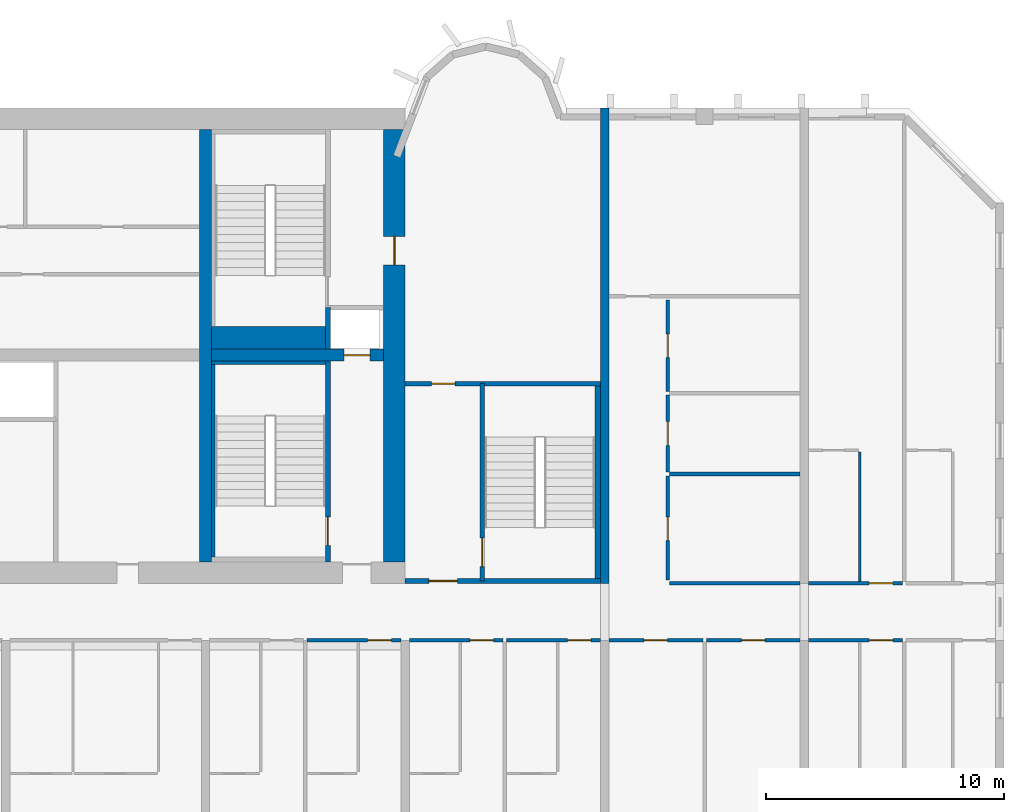
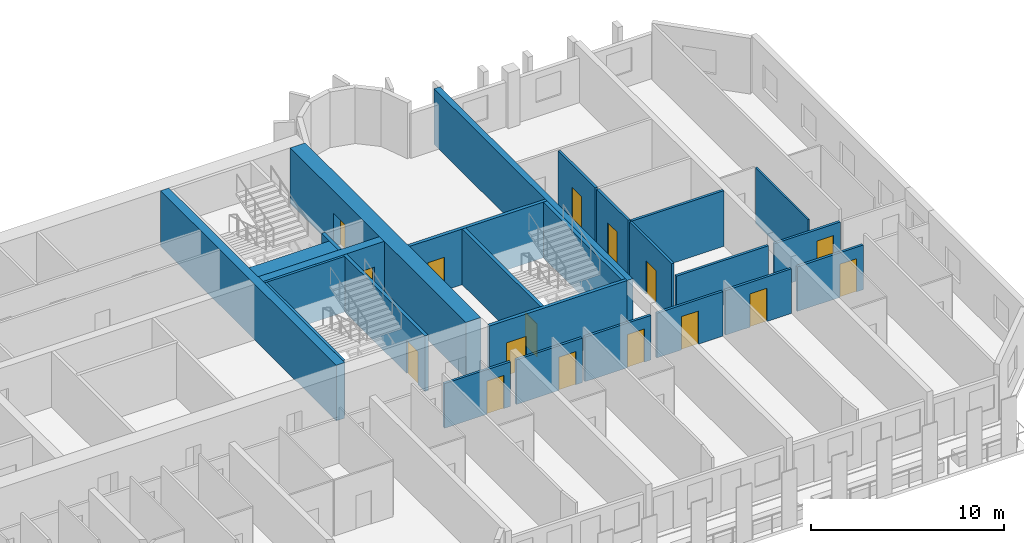
# One storey, part 9 of 14: 26 walls, 16 doors, 16 openings.
"""IFC4 building model written with IfcOpenShell, lengths in metres."""

from ifc_helpers import new_model, si_unit, direction, frame, frame_2d, origin, place, context, subcontext, project, spatial, rectangle, extrude, source, transform, mapped, material, layer, layer_set, type_object, element, fill, save


model = new_model("IFC4")

# Units and contexts
model_context = context("Model", 3, precision=1e-05, world=origin(), true_north=direction((0.0, 1.0)))
body_context = subcontext(model_context, "Body", "Model", "MODEL_VIEW")
ifc_project = project(units=[si_unit("LENGTHUNIT", "METRE"), si_unit("AREAUNIT", "SQUARE_METRE"), si_unit("VOLUMEUNIT", "CUBIC_METRE"), si_unit("PLANEANGLEUNIT", "RADIAN"), si_unit("MASSUNIT", "GRAM", prefix="KILO")], contexts=[model_context])

# Site, building, storey
site_placement = place(None, origin())
site = spatial("IfcSite", under=ifc_project, at=site_placement, CompositionType="ELEMENT")
building_placement = place(site_placement, origin())
building = spatial("IfcBuilding", under=site, at=building_placement, Name="Vanashikhar Sky Hotel", CompositionType="ELEMENT")
storey_placement = place(building_placement, frame((0.0, 0.0, 99.0)))
storey = spatial("IfcBuildingStorey", under=building, at=storey_placement, Name="L23", CompositionType="ELEMENT", Elevation=99.0)

# Wall, opening, door
ifc_material_1 = material(Name="Concrete M70", Category="concrete")
ifc_layer_1 = layer(ifc_material_1, 0.89990234375)
ifc_layer_set_1 = layer_set([ifc_layer_1], Name="RC core shell wall 900 Concrete M70")
wall_type_1 = type_object("IfcWallType", Name="RC core shell wall 900 Concrete M70", PredefinedType="SHEAR", material=ifc_layer_set_1)
shared_shape_1 = source(origin(), body_context, "Body", "SweptSolid", [
    extrude(rectangle(XDim=18.2001953125, YDim=0.89990234375, at=frame_2d((9.10009765625, 0.0))), origin(), (0.0, 0.0, 1.0), 3.52001953125),
])
wall_1_placement = place(storey_placement, frame((75.14990234375, 22.89990234375, 0.0), z_axis=(0.0, 0.0, 1.0), x_axis=(0.0, 1.0, 0.0)))
wall_1 = element("IfcWall", 1, at=wall_1_placement, inside=storey, type_object=wall_type_1, Name="KW-L23-KE", PredefinedType="SHEAR", context=body_context, shape_type="MappedRepresentation", body=[
    mapped(shared_shape_1, transform((0.0, 0.0, 0.0), scale=1.0)),
])
shared_shape_2 = source(origin(), body_context, "Body", "SweptSolid", [
    extrude(rectangle(XDim=1.199951171875, YDim=2.10009765625, at=frame_2d((0.60009765625, 1.050048828125))), frame((0.0, 0.4599609375, 0.0), z_axis=(0.0, -1.0, 0.0), x_axis=(1.0, 0.0, 0.0)), (0.0, 0.0, 1.0), 0.919921875),
])
opening_1_placement = place(wall_1_placement, frame((12.5, 0.0, 0.0)))
opening_1 = element("IfcOpeningElement", 2, at=opening_1_placement, cuts=wall_1, Name="Opening DC-4-D", PredefinedType="OPENING", context=body_context, shape_type="MappedRepresentation", body=[
    mapped(shared_shape_2, transform((0.0, 0.0, 0.0), scale=1.0)),
])
ifc_material_2 = material(Name="Steel", Category="steel")
door_type_1 = type_object("IfcDoorType", Name="Service door 1200 FD120", OperationType="NOTDEFINED", PredefinedType="DOOR", material=ifc_material_2)
shared_shape_3 = source(origin(), body_context, "Body", "SweptSolid", [
    extrude(rectangle(XDim=1.199951171875, YDim=2.10009765625, at=frame_2d((0.60009765625, 1.050048828125))), frame((0.0, 0.02490234375, 0.0), z_axis=(0.0, -1.0, 0.0), x_axis=(1.0, 0.0, 0.0)), (0.0, 0.0, 1.0), 0.050048828125),
])
door_1_placement = place(opening_1_placement, origin())
door_1 = element("IfcDoor", 3, at=door_1_placement, inside=storey, type_object=door_type_1, Name="Service door 1200 FD120", OperationType="SINGLE_SWING_RIGHT", OverallHeight=2.10009765625, OverallWidth=1.199951171875, PredefinedType="DOOR", context=body_context, shape_type="MappedRepresentation", body=[
    mapped(shared_shape_3, transform((0.0, 0.0, 0.0), scale=1.0)),
])
fill(opening_1, door_1)

# Wall
ifc_layer_2 = layer(ifc_material_1, 0.5)
ifc_layer_set_2 = layer_set([ifc_layer_2], Name="RC core inner wall 500 Concrete M70")
wall_type_2 = type_object("IfcWallType", Name="RC core inner wall 500 Concrete M70", PredefinedType="SHEAR", material=ifc_layer_set_2)
shared_shape_4 = source(origin(), body_context, "Body", "SweptSolid", [
    extrude(rectangle(XDim=18.2001953125, YDim=0.5, at=frame_2d((9.10009765625, 0.0))), origin(), (0.0, 0.0, 1.0), 3.52001953125),
])
wall_2_placement = place(storey_placement, frame((67.199951171875, 22.89990234375, 0.0), z_axis=(0.0, 0.0, 1.0), x_axis=(0.0, 1.0, 0.0)))
element("IfcWall", 4, at=wall_2_placement, inside=storey, type_object=wall_type_2, Name="KW-L23-KX3", PredefinedType="SHEAR", context=body_context, shape_type="MappedRepresentation", body=[
    mapped(shared_shape_4, transform((0.0, 0.0, 0.0), scale=1.0)),
])

# Wall, opening, door
shared_shape_5 = source(origin(), body_context, "Body", "SweptSolid", [
    extrude(rectangle(XDim=7.25, YDim=0.5, at=frame_2d((3.625, 0.0))), origin(), (0.0, 0.0, 1.0), 3.52001953125),
])
wall_3_placement = place(storey_placement, frame((67.449951171875, 31.60009765625, 0.0), z_axis=(0.0, 0.0, 1.0), x_axis=(1.0, 0.0, 0.0)))
wall_3 = element("IfcWall", 5, at=wall_3_placement, inside=storey, type_object=wall_type_2, Name="KW-L23-KY4", PredefinedType="SHEAR", context=body_context, shape_type="MappedRepresentation", body=[
    mapped(shared_shape_5, transform((0.0, 0.0, 0.0), scale=1.0)),
])
shared_shape_6 = source(origin(), body_context, "Body", "SweptSolid", [
    extrude(rectangle(XDim=1.10009765625, YDim=2.10009765625, at=frame_2d((0.550048828125, 1.050048828125))), frame((0.0, 0.260009765625, 0.0), z_axis=(0.0, -1.0, 0.0), x_axis=(1.0, 0.0, 0.0)), (0.0, 0.0, 1.0), 0.52001953125),
])
opening_2_placement = place(wall_3_placement, frame((5.574951171875, 0.0, 0.0)))
opening_2 = element("IfcOpeningElement", 6, at=opening_2_placement, cuts=wall_3, Name="Opening LD", PredefinedType="OPENING", context=body_context, shape_type="MappedRepresentation", body=[
    mapped(shared_shape_6, transform((0.0, 0.0, 0.0), scale=1.0)),
])
ifc_material_3 = material(Name="Stainless steel", Category="steel")
door_type_2 = type_object("IfcDoorType", Name="Lift landing door 1100", OperationType="NOTDEFINED", PredefinedType="DOOR", material=ifc_material_3)
shared_shape_7 = source(origin(), body_context, "Body", "SweptSolid", [
    extrude(rectangle(XDim=1.10009765625, YDim=2.10009765625, at=frame_2d((0.550048828125, 1.050048828125))), frame((0.0, 0.02490234375, 0.0), z_axis=(0.0, -1.0, 0.0), x_axis=(1.0, 0.0, 0.0)), (0.0, 0.0, 1.0), 0.050048828125),
])
door_2_placement = place(opening_2_placement, origin())
door_2 = element("IfcDoor", 7, at=door_2_placement, inside=storey, type_object=door_type_2, Name="Lift landing door 1100", OperationType="SLIDING_TO_RIGHT", OverallHeight=2.10009765625, OverallWidth=1.10009765625, PredefinedType="DOOR", context=body_context, shape_type="MappedRepresentation", body=[
    mapped(shared_shape_7, transform((0.0, 0.0, 0.0), scale=1.0)),
])
fill(opening_2, door_2)

# Wall
ifc_layer_3 = layer(ifc_material_1, 0.35009765625)
ifc_layer_set_3 = layer_set([ifc_layer_3], Name="RC shear wall 350 Concrete M70")
wall_type_3 = type_object("IfcWallType", Name="RC shear wall 350 Concrete M70", PredefinedType="SHEAR", material=ifc_layer_set_3)
shared_shape_8 = source(origin(), body_context, "Body", "SweptSolid", [
    extrude(rectangle(XDim=20.0, YDim=0.35009765625, at=frame_2d((10.0, 0.0))), origin(), (0.0, 0.0, 1.0), 3.52001953125),
])
wall_4_placement = place(storey_placement, frame((84.0, 22.0, 0.0), z_axis=(0.0, 0.0, 1.0), x_axis=(0.0, 1.0, 0.0)))
element("IfcWall", 8, at=wall_4_placement, inside=storey, type_object=wall_type_3, Name="CW-L23-XW11-2", PredefinedType="SHEAR", context=body_context, shape_type="MappedRepresentation", body=[
    mapped(shared_shape_8, transform((0.0, 0.0, 0.0), scale=1.0)),
])

# Wall, opening, door
ifc_material_4 = material(Name="Concrete M50", Category="concrete")
ifc_layer_4 = layer(ifc_material_4, 0.199951171875)
ifc_layer_set_4 = layer_set([ifc_layer_4], Name="Stair wall 200")
wall_type_4 = type_object("IfcWallType", Name="Stair wall 200", PredefinedType="SOLIDWALL", material=ifc_layer_set_4)
shared_shape_9 = source(origin(), body_context, "Body", "SweptSolid", [
    extrude(rectangle(XDim=8.2998046875, YDim=0.199951171875, at=frame_2d((4.14990234375, 0.0))), origin(), (0.0, 0.0, 1.0), 3.52001953125),
])
wall_5_placement = place(storey_placement, frame((78.85009765625, 22.10009765625, 0.0), z_axis=(0.0, 0.0, 1.0), x_axis=(0.0, 1.0, 0.0)))
wall_5 = element("IfcWall", 9, at=wall_5_placement, inside=storey, type_object=wall_type_4, Name="Stair wall 200", PredefinedType="SOLIDWALL", context=body_context, shape_type="MappedRepresentation", body=[
    mapped(shared_shape_9, transform((0.0, 0.0, 0.0), scale=1.0)),
])
shared_shape_10 = source(origin(), body_context, "Body", "SweptSolid", [
    extrude(rectangle(XDim=1.199951171875, YDim=2.10009765625, at=frame_2d((0.60009765625, 1.050048828125))), frame((0.0, 0.10986328125, 0.0), z_axis=(0.0, -1.0, 0.0), x_axis=(1.0, 0.0, 0.0)), (0.0, 0.0, 1.0), 0.219970703125),
])
opening_3_placement = place(wall_5_placement, frame((0.60009765625, 0.0, 0.0)))
opening_3 = element("IfcOpeningElement", 10, at=opening_3_placement, cuts=wall_5, Name="Opening DC-1", PredefinedType="OPENING", context=body_context, shape_type="MappedRepresentation", body=[
    mapped(shared_shape_10, transform((0.0, 0.0, 0.0), scale=1.0)),
])
door_type_3 = type_object("IfcDoorType", Name="Stair door 1200 FD120", OperationType="NOTDEFINED", PredefinedType="DOOR", material=ifc_material_2)
door_3_placement = place(opening_3_placement, origin())
door_3 = element("IfcDoor", 11, at=door_3_placement, inside=storey, type_object=door_type_3, Name="Stair door 1200 FD120", OperationType="SINGLE_SWING_LEFT", OverallHeight=2.10009765625, OverallWidth=1.199951171875, PredefinedType="DOOR", context=body_context, shape_type="MappedRepresentation", body=[
    mapped(shared_shape_3, transform((0.0, 0.0, 0.0), scale=1.0)),
])
fill(opening_3, door_3)

shared_shape_11 = source(origin(), body_context, "Body", "SweptSolid", [
    extrude(rectangle(XDim=8.4501953125, YDim=0.199951171875, at=frame_2d((4.22509765625, 0.0))), origin(), (0.0, 0.0, 1.0), 3.52001953125),
])
wall_6_placement = place(storey_placement, frame((72.35009765625, 22.89990234375, 0.0), z_axis=(0.0, 0.0, 1.0), x_axis=(0.0, 1.0, 0.0)))
wall_6 = element("IfcWall", 12, at=wall_6_placement, inside=storey, type_object=wall_type_4, Name="Stair wall 200", PredefinedType="SOLIDWALL", context=body_context, shape_type="MappedRepresentation", body=[
    mapped(shared_shape_11, transform((0.0, 0.0, 0.0), scale=1.0)),
])
opening_4_placement = place(wall_6_placement, frame((0.699951171875, 0.0, 0.0)))
opening_4 = element("IfcOpeningElement", 13, at=opening_4_placement, cuts=wall_6, Name="Opening DC-1", PredefinedType="OPENING", context=body_context, shape_type="MappedRepresentation", body=[
    mapped(shared_shape_10, transform((0.0, 0.0, 0.0), scale=1.0)),
])
door_4_placement = place(opening_4_placement, origin())
door_4 = element("IfcDoor", 14, at=door_4_placement, inside=storey, type_object=door_type_3, Name="Stair door 1200 FD120", OperationType="SINGLE_SWING_RIGHT", OverallHeight=2.10009765625, OverallWidth=1.199951171875, PredefinedType="DOOR", context=body_context, shape_type="MappedRepresentation", body=[
    mapped(shared_shape_3, transform((0.0, 0.0, 0.0), scale=1.0)),
])
fill(opening_4, door_4)

# Wall
ifc_material_5 = material(Name="Concrete M40", Category="concrete")
ifc_layer_5 = layer(ifc_material_5, 0.199951171875)
ifc_layer_set_5 = layer_set([ifc_layer_5], Name="Shaft wall 200")
wall_type_5 = type_object("IfcWallType", Name="Shaft wall 200", PredefinedType="SOLIDWALL", material=ifc_layer_set_5)
shared_shape_12 = source(origin(), body_context, "Body", "SweptSolid", [
    extrude(rectangle(XDim=1.75, YDim=0.199951171875, at=frame_2d((0.875, 0.0))), origin(), (0.0, 0.0, 1.0), 3.52001953125),
])
wall_7_placement = place(storey_placement, frame((72.35009765625, 31.85009765625, 0.0), z_axis=(0.0, 0.0, 1.0), x_axis=(0.0, 1.0, 0.0)))
element("IfcWall", 15, at=wall_7_placement, inside=storey, type_object=wall_type_5, Name="Shaft wall 200", PredefinedType="SOLIDWALL", context=body_context, shape_type="MappedRepresentation", body=[
    mapped(shared_shape_12, transform((0.0, 0.0, 0.0), scale=1.0)),
])

# Wall, opening, door
shared_shape_13 = source(origin(), body_context, "Body", "SweptSolid", [
    extrude(rectangle(XDim=8.224853515625, YDim=0.199951171875, at=frame_2d((4.1123046875, 0.0))), origin(), (0.0, 0.0, 1.0), 3.52001953125),
])
wall_8_placement = place(storey_placement, frame((83.824951171875, 22.10009765625, 0.0), z_axis=(0.0, 0.0, 1.0), x_axis=(-1.0, 0.0, 0.0)))
wall_8 = element("IfcWall", 16, at=wall_8_placement, inside=storey, type_object=wall_type_4, Name="Stair wall 200", PredefinedType="SOLIDWALL", context=body_context, shape_type="MappedRepresentation", body=[
    mapped(shared_shape_13, transform((0.0, 0.0, 0.0), scale=1.0)),
])
opening_5_placement = place(wall_8_placement, frame((6.02490234375, 0.0, 0.0)))
opening_5 = element("IfcOpeningElement", 17, at=opening_5_placement, cuts=wall_8, Name="Opening DC-2", PredefinedType="OPENING", context=body_context, shape_type="MappedRepresentation", body=[
    mapped(shared_shape_10, transform((0.0, 0.0, 0.0), scale=1.0)),
])
door_type_4 = type_object("IfcDoorType", Name="Firefighting lobby door 1200 FD120", OperationType="NOTDEFINED", PredefinedType="DOOR", material=ifc_material_2)
door_5_placement = place(opening_5_placement, origin())
door_5 = element("IfcDoor", 18, at=door_5_placement, inside=storey, type_object=door_type_4, Name="Firefighting lobby door 1200 FD120", OperationType="SINGLE_SWING_RIGHT", OverallHeight=2.10009765625, OverallWidth=1.199951171875, PredefinedType="DOOR", context=body_context, shape_type="MappedRepresentation", body=[
    mapped(shared_shape_3, transform((0.0, 0.0, 0.0), scale=1.0)),
])
fill(opening_5, door_5)

wall_9_placement = place(storey_placement, frame((83.824951171875, 30.39990234375, 0.0), z_axis=(0.0, 0.0, 1.0), x_axis=(-1.0, 0.0, 0.0)))
wall_9 = element("IfcWall", 19, at=wall_9_placement, inside=storey, type_object=wall_type_4, Name="Stair wall 200", PredefinedType="SOLIDWALL", context=body_context, shape_type="MappedRepresentation", body=[
    mapped(shared_shape_13, transform((0.0, 0.0, 0.0), scale=1.0)),
])
shared_shape_14 = source(origin(), body_context, "Body", "SweptSolid", [
    extrude(rectangle(XDim=1.0, YDim=2.10009765625, at=frame_2d((0.5, 1.050048828125))), frame((0.0, 0.10986328125, 0.0), z_axis=(0.0, -1.0, 0.0), x_axis=(1.0, 0.0, 0.0)), (0.0, 0.0, 1.0), 0.219970703125),
])
opening_6_placement = place(wall_9_placement, frame((6.125, 0.0, 0.0)))
opening_6 = element("IfcOpeningElement", 20, at=opening_6_placement, cuts=wall_9, Name="Opening DC-6", PredefinedType="OPENING", context=body_context, shape_type="MappedRepresentation", body=[
    mapped(shared_shape_14, transform((0.0, 0.0, 0.0), scale=1.0)),
])
door_type_5 = type_object("IfcDoorType", Name="Pocket door 1000 FD60", OperationType="NOTDEFINED", PredefinedType="DOOR", material=ifc_material_2)
shared_shape_15 = source(origin(), body_context, "Body", "SweptSolid", [
    extrude(rectangle(XDim=1.0, YDim=2.10009765625, at=frame_2d((0.5, 1.050048828125))), frame((0.0, 0.02490234375, 0.0), z_axis=(0.0, -1.0, 0.0), x_axis=(1.0, 0.0, 0.0)), (0.0, 0.0, 1.0), 0.050048828125),
])
door_6_placement = place(opening_6_placement, origin())
door_6 = element("IfcDoor", 21, at=door_6_placement, inside=storey, type_object=door_type_5, Name="Pocket door 1000 FD60", OperationType="SINGLE_SWING_RIGHT", OverallHeight=2.10009765625, OverallWidth=1.0, PredefinedType="DOOR", context=body_context, shape_type="MappedRepresentation", body=[
    mapped(shared_shape_15, transform((0.0, 0.0, 0.0), scale=1.0)),
])
fill(opening_6, door_6)

# Walls
ifc_layer_6 = layer(ifc_material_4, 0.14990234375)
ifc_layer_set_6 = layer_set([ifc_layer_6], Name="Stair infill wall 150")
wall_type_6 = type_object("IfcWallType", Name="Stair infill wall 150", PredefinedType="SOLIDWALL", material=ifc_layer_set_6)
shared_shape_16 = source(origin(), body_context, "Body", "SweptSolid", [
    extrude(rectangle(XDim=4.800048828125, YDim=0.14990234375, at=frame_2d((2.39990234375, 0.0))), origin(), (0.0, 0.0, 1.0), 3.52001953125),
])
wall_10_placement = place(storey_placement, frame((67.449951171875, 31.27490234375, 0.0), z_axis=(0.0, 0.0, 1.0), x_axis=(1.0, 0.0, 0.0)))
element("IfcWall", 22, at=wall_10_placement, inside=storey, type_object=wall_type_6, Name="Stair infill wall 150", PredefinedType="SOLIDWALL", context=body_context, shape_type="MappedRepresentation", body=[
    mapped(shared_shape_16, transform((0.0, 0.0, 0.0), scale=1.0)),
])
shared_shape_17 = source(origin(), body_context, "Body", "SweptSolid", [
    extrude(rectangle(XDim=8.099853515625, YDim=0.14990234375, at=frame_2d((4.0498046875, 0.0))), origin(), (0.0, 0.0, 1.0), 3.52001953125),
])
wall_11_placement = place(storey_placement, frame((67.52490234375, 23.10009765625, 0.0), z_axis=(0.0, 0.0, 1.0), x_axis=(0.0, 1.0, 0.0)))
element("IfcWall", 23, at=wall_11_placement, inside=storey, type_object=wall_type_6, Name="Stair infill wall 150", PredefinedType="SOLIDWALL", context=body_context, shape_type="MappedRepresentation", body=[
    mapped(shared_shape_17, transform((0.0, 0.0, 0.0), scale=1.0)),
])
ifc_layer_7 = layer(ifc_material_4, 0.22509765625)
ifc_layer_set_7 = layer_set([ifc_layer_7], Name="Stair infill wall 225")
wall_type_7 = type_object("IfcWallType", Name="Stair infill wall 225", PredefinedType="SOLIDWALL", material=ifc_layer_set_7)
shared_shape_18 = source(origin(), body_context, "Body", "SweptSolid", [
    extrude(rectangle(XDim=8.10009765625, YDim=0.22509765625, at=frame_2d((4.050048828125, 0.0))), origin(), (0.0, 0.0, 1.0), 3.52001953125),
])
wall_12_placement = place(storey_placement, frame((83.712890625, 22.199951171875, 0.0), z_axis=(0.0, 0.0, 1.0), x_axis=(0.0, 1.0, 0.0)))
element("IfcWall", 24, at=wall_12_placement, inside=storey, type_object=wall_type_7, Name="Stair infill wall 225", PredefinedType="SOLIDWALL", context=body_context, shape_type="MappedRepresentation", body=[
    mapped(shared_shape_18, transform((0.0, 0.0, 0.0), scale=1.0)),
])
ifc_layer_8 = layer(ifc_material_4, 0.949951171875)
ifc_layer_set_8 = layer_set([ifc_layer_8], Name="Stair infill wall 950")
wall_type_8 = type_object("IfcWallType", Name="Stair infill wall 950", PredefinedType="SOLIDWALL", material=ifc_layer_set_8)
shared_shape_19 = source(origin(), body_context, "Body", "SweptSolid", [
    extrude(rectangle(XDim=4.800048828125, YDim=0.949951171875, at=frame_2d((2.39990234375, 0.0))), origin(), (0.0, 0.0, 1.0), 3.52001953125),
])
wall_13_placement = place(storey_placement, frame((67.449951171875, 32.324951171875, 0.0), z_axis=(0.0, 0.0, 1.0), x_axis=(1.0, 0.0, 0.0)))
element("IfcWall", 25, at=wall_13_placement, inside=storey, type_object=wall_type_8, Name="Stair infill wall 950", PredefinedType="SOLIDWALL", context=body_context, shape_type="MappedRepresentation", body=[
    mapped(shared_shape_19, transform((0.0, 0.0, 0.0), scale=1.0)),
])

# Wall, opening, door
ifc_material_6 = material(Name="Gypsum plasterboard partition")
ifc_layer_9 = layer(ifc_material_6, 0.14990234375)
ifc_layer_set_9 = layer_set([ifc_layer_9], Name="Corridor and demising partition 150")
wall_type_9 = type_object("IfcWallType", Name="Corridor and demising partition 150", PredefinedType="PARTITIONING", material=ifc_layer_set_9)
shared_shape_20 = source(origin(), body_context, "Body", "SweptSolid", [
    extrude(rectangle(XDim=4.375, YDim=0.14990234375, at=frame_2d((2.1875, 0.0))), origin(), (0.0, 0.0, 1.0), 3.52001953125),
])
wall_14_placement = place(storey_placement, frame((86.64990234375, 22.14990234375, 0.0), z_axis=(0.0, 0.0, 1.0), x_axis=(0.0, 1.0, 0.0)))
wall_14 = element("IfcWall", 26, at=wall_14_placement, inside=storey, type_object=wall_type_9, Name="W-L23-PW088", PredefinedType="PARTITIONING", context=body_context, shape_type="MappedRepresentation", body=[
    mapped(shared_shape_20, transform((0.0, 0.0, 0.0), scale=1.0)),
])
shared_shape_21 = source(origin(), body_context, "Body", "SweptSolid", [
    extrude(rectangle(XDim=1.0, YDim=2.10009765625, at=frame_2d((0.5, 1.050048828125))), frame((0.0, 0.0849609375, 0.0), z_axis=(0.0, -1.0, 0.0), x_axis=(1.0, 0.0, 0.0)), (0.0, 0.0, 1.0), 0.169921875),
])
opening_7_placement = place(wall_14_placement, frame((1.64990234375, 0.0, 0.0)))
opening_7 = element("IfcOpeningElement", 27, at=opening_7_placement, cuts=wall_14, Name="Opening D-01", PredefinedType="OPENING", context=body_context, shape_type="MappedRepresentation", body=[
    mapped(shared_shape_21, transform((0.0, 0.0, 0.0), scale=1.0)),
])
ifc_material_7 = material(Name="Timber fire door", Category="wood")
door_type_6 = type_object("IfcDoorType", Name="Guest entry door 1000 FD30S", OperationType="NOTDEFINED", PredefinedType="DOOR", material=ifc_material_7)
door_7_placement = place(opening_7_placement, origin())
door_7 = element("IfcDoor", 28, at=door_7_placement, inside=storey, type_object=door_type_6, Name="D-L23-050", OperationType="SINGLE_SWING_LEFT", OverallHeight=2.10009765625, OverallWidth=1.0, PredefinedType="DOOR", context=body_context, shape_type="MappedRepresentation", body=[
    mapped(shared_shape_15, transform((0.0, 0.0, 0.0), scale=1.0)),
])
fill(opening_7, door_7)

shared_shape_22 = source(origin(), body_context, "Body", "SweptSolid", [
    extrude(rectangle(XDim=3.25, YDim=0.14990234375, at=frame_2d((1.625, 0.0))), origin(), (0.0, 0.0, 1.0), 3.52001953125),
])
wall_15_placement = place(storey_placement, frame((86.64990234375, 26.675048828125, 0.0), z_axis=(0.0, 0.0, 1.0), x_axis=(0.0, 1.0, 0.0)))
wall_15 = element("IfcWall", 29, at=wall_15_placement, inside=storey, type_object=wall_type_9, Name="W-L23-PW090", PredefinedType="PARTITIONING", context=body_context, shape_type="MappedRepresentation", body=[
    mapped(shared_shape_22, transform((0.0, 0.0, 0.0), scale=1.0)),
])
opening_8_placement = place(wall_15_placement, frame((1.125, 0.0, 0.0)))
opening_8 = element("IfcOpeningElement", 30, at=opening_8_placement, cuts=wall_15, Name="Opening D-01", PredefinedType="OPENING", context=body_context, shape_type="MappedRepresentation", body=[
    mapped(shared_shape_21, transform((0.0, 0.0, 0.0), scale=1.0)),
])
door_8_placement = place(opening_8_placement, origin())
door_8 = element("IfcDoor", 31, at=door_8_placement, inside=storey, type_object=door_type_6, Name="D-L23-051", OperationType="SINGLE_SWING_LEFT", OverallHeight=2.10009765625, OverallWidth=1.0, PredefinedType="DOOR", context=body_context, shape_type="MappedRepresentation", body=[
    mapped(shared_shape_15, transform((0.0, 0.0, 0.0), scale=1.0)),
])
fill(opening_8, door_8)

shared_shape_23 = source(origin(), body_context, "Body", "SweptSolid", [
    extrude(rectangle(XDim=3.85009765625, YDim=0.14990234375, at=frame_2d((1.925048828125, 0.0))), origin(), (0.0, 0.0, 1.0), 3.52001953125),
])
wall_16_placement = place(storey_placement, frame((86.64990234375, 30.074951171875, 0.0), z_axis=(0.0, 0.0, 1.0), x_axis=(0.0, 1.0, 0.0)))
wall_16 = element("IfcWall", 32, at=wall_16_placement, inside=storey, type_object=wall_type_9, Name="W-L23-PW092", PredefinedType="PARTITIONING", context=body_context, shape_type="MappedRepresentation", body=[
    mapped(shared_shape_23, transform((0.0, 0.0, 0.0), scale=1.0)),
])
opening_9_placement = place(wall_16_placement, frame((1.425048828125, 0.0, 0.0)))
opening_9 = element("IfcOpeningElement", 33, at=opening_9_placement, cuts=wall_16, Name="Opening D-01", PredefinedType="OPENING", context=body_context, shape_type="MappedRepresentation", body=[
    mapped(shared_shape_21, transform((0.0, 0.0, 0.0), scale=1.0)),
])
door_9_placement = place(opening_9_placement, origin())
door_9 = element("IfcDoor", 34, at=door_9_placement, inside=storey, type_object=door_type_6, Name="D-L23-052", OperationType="SINGLE_SWING_LEFT", OverallHeight=2.10009765625, OverallWidth=1.0, PredefinedType="DOOR", context=body_context, shape_type="MappedRepresentation", body=[
    mapped(shared_shape_15, transform((0.0, 0.0, 0.0), scale=1.0)),
])
fill(opening_9, door_9)

# Wall
ifc_layer_10 = layer(ifc_material_6, 0.10009765625)
ifc_layer_set_10 = layer_set([ifc_layer_10], Name="Wet room partition 100")
wall_type_10 = type_object("IfcWallType", Name="Wet room partition 100", PredefinedType="PARTITIONING", material=ifc_layer_set_10)
shared_shape_24 = source(origin(), body_context, "Body", "SweptSolid", [
    extrude(rectangle(XDim=5.449951171875, YDim=0.10009765625, at=frame_2d((2.72509765625, 0.0))), origin(), (0.0, 0.0, 1.0), 3.52001953125),
])
wall_17_placement = place(storey_placement, frame((94.72509765625, 22.074951171875, 0.0), z_axis=(0.0, 0.0, 1.0), x_axis=(0.0, 1.0, 0.0)))
element("IfcWall", 35, at=wall_17_placement, inside=storey, type_object=wall_type_10, Name="W-L23-PW094", PredefinedType="PARTITIONING", context=body_context, shape_type="MappedRepresentation", body=[
    mapped(shared_shape_24, transform((0.0, 0.0, 0.0), scale=1.0)),
])

# Wall, opening, door
shared_shape_25 = source(origin(), body_context, "Body", "SweptSolid", [
    extrude(rectangle(XDim=3.9501953125, YDim=0.14990234375, at=frame_2d((1.97509765625, 0.0))), origin(), (0.0, 0.0, 1.0), 2.820068359375),
])
wall_18_placement = place(storey_placement, frame((75.77490234375, 19.60009765625, 0.0), z_axis=(0.0, 0.0, 1.0), x_axis=(1.0, 0.0, 0.0)))
wall_18 = element("IfcWall", 36, at=wall_18_placement, inside=storey, type_object=wall_type_9, Name="W-L23-PW056", PredefinedType="PARTITIONING", context=body_context, shape_type="MappedRepresentation", body=[
    mapped(shared_shape_25, transform((0.0, 0.0, 0.0), scale=1.0)),
])
opening_10_placement = place(wall_18_placement, frame((2.550048828125, 0.0, 0.0)))
opening_10 = element("IfcOpeningElement", 37, at=opening_10_placement, cuts=wall_18, Name="Opening D-01", PredefinedType="OPENING", context=body_context, shape_type="MappedRepresentation", body=[
    mapped(shared_shape_21, transform((0.0, 0.0, 0.0), scale=1.0)),
])
door_10_placement = place(opening_10_placement, origin())
door_10 = element("IfcDoor", 38, at=door_10_placement, inside=storey, type_object=door_type_6, Name="D-L23-033", OperationType="SINGLE_SWING_RIGHT", OverallHeight=2.10009765625, OverallWidth=1.0, PredefinedType="DOOR", context=body_context, shape_type="MappedRepresentation", body=[
    mapped(shared_shape_15, transform((0.0, 0.0, 0.0), scale=1.0)),
])
fill(opening_10, door_10)

wall_19_placement = place(storey_placement, frame((88.27490234375, 19.60009765625, 0.0), z_axis=(0.0, 0.0, 1.0), x_axis=(1.0, 0.0, 0.0)))
wall_19 = element("IfcWall", 39, at=wall_19_placement, inside=storey, type_object=wall_type_9, Name="W-L23-PW062", PredefinedType="PARTITIONING", context=body_context, shape_type="MappedRepresentation", body=[
    mapped(shared_shape_25, transform((0.0, 0.0, 0.0), scale=1.0)),
])
opening_11_placement = place(wall_19_placement, frame((1.47509765625, 0.0, 0.0)))
opening_11 = element("IfcOpeningElement", 40, at=opening_11_placement, cuts=wall_19, Name="Opening D-01", PredefinedType="OPENING", context=body_context, shape_type="MappedRepresentation", body=[
    mapped(shared_shape_21, transform((0.0, 0.0, 0.0), scale=1.0)),
])
door_11_placement = place(opening_11_placement, origin())
door_11 = element("IfcDoor", 41, at=door_11_placement, inside=storey, type_object=door_type_6, Name="D-L23-037", OperationType="SINGLE_SWING_RIGHT", OverallHeight=2.10009765625, OverallWidth=1.0, PredefinedType="DOOR", context=body_context, shape_type="MappedRepresentation", body=[
    mapped(shared_shape_15, transform((0.0, 0.0, 0.0), scale=1.0)),
])
fill(opening_11, door_11)

shared_shape_26 = source(origin(), body_context, "Body", "SweptSolid", [
    extrude(rectangle(XDim=3.949951171875, YDim=0.14990234375, at=frame_2d((1.97509765625, 0.0))), origin(), (0.0, 0.0, 1.0), 2.820068359375),
])
wall_20_placement = place(storey_placement, frame((71.47509765625, 19.60009765625, 0.0), z_axis=(0.0, 0.0, 1.0), x_axis=(1.0, 0.0, 0.0)))
wall_20 = element("IfcWall", 42, at=wall_20_placement, inside=storey, type_object=wall_type_9, Name="W-L23-PW052", PredefinedType="PARTITIONING", context=body_context, shape_type="MappedRepresentation", body=[
    mapped(shared_shape_26, transform((0.0, 0.0, 0.0), scale=1.0)),
])
opening_12_placement = place(wall_20_placement, frame((2.550048828125, 0.0, 0.0)))
opening_12 = element("IfcOpeningElement", 43, at=opening_12_placement, cuts=wall_20, Name="Opening D-01", PredefinedType="OPENING", context=body_context, shape_type="MappedRepresentation", body=[
    mapped(shared_shape_21, transform((0.0, 0.0, 0.0), scale=1.0)),
])
door_12_placement = place(opening_12_placement, origin())
door_12 = element("IfcDoor", 44, at=door_12_placement, inside=storey, type_object=door_type_6, Name="D-L23-031", OperationType="SINGLE_SWING_RIGHT", OverallHeight=2.10009765625, OverallWidth=1.0, PredefinedType="DOOR", context=body_context, shape_type="MappedRepresentation", body=[
    mapped(shared_shape_15, transform((0.0, 0.0, 0.0), scale=1.0)),
])
fill(opening_12, door_12)

wall_21_placement = place(storey_placement, frame((79.875, 19.60009765625, 0.0), z_axis=(0.0, 0.0, 1.0), x_axis=(1.0, 0.0, 0.0)))
wall_21 = element("IfcWall", 45, at=wall_21_placement, inside=storey, type_object=wall_type_9, Name="W-L23-PW059", PredefinedType="PARTITIONING", context=body_context, shape_type="MappedRepresentation", body=[
    mapped(shared_shape_26, transform((0.0, 0.0, 0.0), scale=1.0)),
])
opening_13_placement = place(wall_21_placement, frame((2.550048828125, 0.0, 0.0)))
opening_13 = element("IfcOpeningElement", 46, at=opening_13_placement, cuts=wall_21, Name="Opening D-01", PredefinedType="OPENING", context=body_context, shape_type="MappedRepresentation", body=[
    mapped(shared_shape_21, transform((0.0, 0.0, 0.0), scale=1.0)),
])
door_13_placement = place(opening_13_placement, origin())
door_13 = element("IfcDoor", 47, at=door_13_placement, inside=storey, type_object=door_type_6, Name="D-L23-035", OperationType="SINGLE_SWING_RIGHT", OverallHeight=2.10009765625, OverallWidth=1.0, PredefinedType="DOOR", context=body_context, shape_type="MappedRepresentation", body=[
    mapped(shared_shape_15, transform((0.0, 0.0, 0.0), scale=1.0)),
])
fill(opening_13, door_13)

wall_22_placement = place(storey_placement, frame((84.175048828125, 19.60009765625, 0.0), z_axis=(0.0, 0.0, 1.0), x_axis=(1.0, 0.0, 0.0)))
wall_22 = element("IfcWall", 48, at=wall_22_placement, inside=storey, type_object=wall_type_9, Name="W-L23-PW061", PredefinedType="PARTITIONING", context=body_context, shape_type="MappedRepresentation", body=[
    mapped(shared_shape_26, transform((0.0, 0.0, 0.0), scale=1.0)),
])
opening_14_placement = place(wall_22_placement, frame((1.47509765625, 0.0, 0.0)))
opening_14 = element("IfcOpeningElement", 49, at=opening_14_placement, cuts=wall_22, Name="Opening D-01", PredefinedType="OPENING", context=body_context, shape_type="MappedRepresentation", body=[
    mapped(shared_shape_21, transform((0.0, 0.0, 0.0), scale=1.0)),
])
door_14_placement = place(opening_14_placement, origin())
door_14 = element("IfcDoor", 50, at=door_14_placement, inside=storey, type_object=door_type_6, Name="D-L23-036", OperationType="SINGLE_SWING_LEFT", OverallHeight=2.10009765625, OverallWidth=1.0, PredefinedType="DOOR", context=body_context, shape_type="MappedRepresentation", body=[
    mapped(shared_shape_15, transform((0.0, 0.0, 0.0), scale=1.0)),
])
fill(opening_14, door_14)

wall_23_placement = place(storey_placement, frame((92.574951171875, 19.60009765625, 0.0), z_axis=(0.0, 0.0, 1.0), x_axis=(1.0, 0.0, 0.0)))
wall_23 = element("IfcWall", 51, at=wall_23_placement, inside=storey, type_object=wall_type_9, Name="W-L23-PW066", PredefinedType="PARTITIONING", context=body_context, shape_type="MappedRepresentation", body=[
    mapped(shared_shape_26, transform((0.0, 0.0, 0.0), scale=1.0)),
])
opening_15_placement = place(wall_23_placement, frame((2.550048828125, 0.0, 0.0)))
opening_15 = element("IfcOpeningElement", 52, at=opening_15_placement, cuts=wall_23, Name="Opening D-01", PredefinedType="OPENING", context=body_context, shape_type="MappedRepresentation", body=[
    mapped(shared_shape_21, transform((0.0, 0.0, 0.0), scale=1.0)),
])
door_15_placement = place(opening_15_placement, origin())
door_15 = element("IfcDoor", 53, at=door_15_placement, inside=storey, type_object=door_type_6, Name="D-L23-039", OperationType="SINGLE_SWING_RIGHT", OverallHeight=2.10009765625, OverallWidth=1.0, PredefinedType="DOOR", context=body_context, shape_type="MappedRepresentation", body=[
    mapped(shared_shape_15, transform((0.0, 0.0, 0.0), scale=1.0)),
])
fill(opening_15, door_15)

wall_24_placement = place(storey_placement, frame((92.574951171875, 22.0, 0.0), z_axis=(0.0, 0.0, 1.0), x_axis=(1.0, 0.0, 0.0)))
wall_24 = element("IfcWall", 54, at=wall_24_placement, inside=storey, type_object=wall_type_9, Name="W-L23-PW096", PredefinedType="PARTITIONING", context=body_context, shape_type="MappedRepresentation", body=[
    mapped(shared_shape_26, transform((0.0, 0.0, 0.0), scale=1.0)),
])
opening_16_placement = place(wall_24_placement, frame((2.550048828125, 0.0, 0.0)))
opening_16 = element("IfcOpeningElement", 55, at=opening_16_placement, cuts=wall_24, Name="Opening D-01", PredefinedType="OPENING", context=body_context, shape_type="MappedRepresentation", body=[
    mapped(shared_shape_21, transform((0.0, 0.0, 0.0), scale=1.0)),
])
door_16_placement = place(opening_16_placement, origin())
door_16 = element("IfcDoor", 56, at=door_16_placement, inside=storey, type_object=door_type_6, Name="D-L23-055", OperationType="SINGLE_SWING_RIGHT", OverallHeight=2.10009765625, OverallWidth=1.0, PredefinedType="DOOR", context=body_context, shape_type="MappedRepresentation", body=[
    mapped(shared_shape_15, transform((0.0, 0.0, 0.0), scale=1.0)),
])
fill(opening_16, door_16)

# Walls
shared_shape_27 = source(origin(), body_context, "Body", "SweptSolid", [
    extrude(rectangle(XDim=5.5, YDim=0.14990234375, at=frame_2d((2.75, 0.0))), origin(), (0.0, 0.0, 1.0), 2.820068359375),
])
wall_25_placement = place(storey_placement, frame((86.72509765625, 22.0, 0.0), z_axis=(0.0, 0.0, 1.0), x_axis=(1.0, 0.0, 0.0)))
element("IfcWall", 57, at=wall_25_placement, inside=storey, type_object=wall_type_9, Name="W-L23-PW087", PredefinedType="PARTITIONING", context=body_context, shape_type="MappedRepresentation", body=[
    mapped(shared_shape_27, transform((0.0, 0.0, 0.0), scale=1.0)),
])
shared_shape_28 = source(origin(), body_context, "Body", "SweptSolid", [
    extrude(rectangle(XDim=5.5, YDim=0.14990234375, at=frame_2d((2.75, 0.0))), origin(), (0.0, 0.0, 1.0), 3.52001953125),
])
wall_26_placement = place(storey_placement, frame((86.72509765625, 26.60009765625, 0.0), z_axis=(0.0, 0.0, 1.0), x_axis=(1.0, 0.0, 0.0)))
element("IfcWall", 58, at=wall_26_placement, inside=storey, type_object=wall_type_9, Name="W-L23-PW089", PredefinedType="PARTITIONING", context=body_context, shape_type="MappedRepresentation", body=[
    mapped(shared_shape_28, transform((0.0, 0.0, 0.0), scale=1.0)),
])

save(model, "model.ifc")
